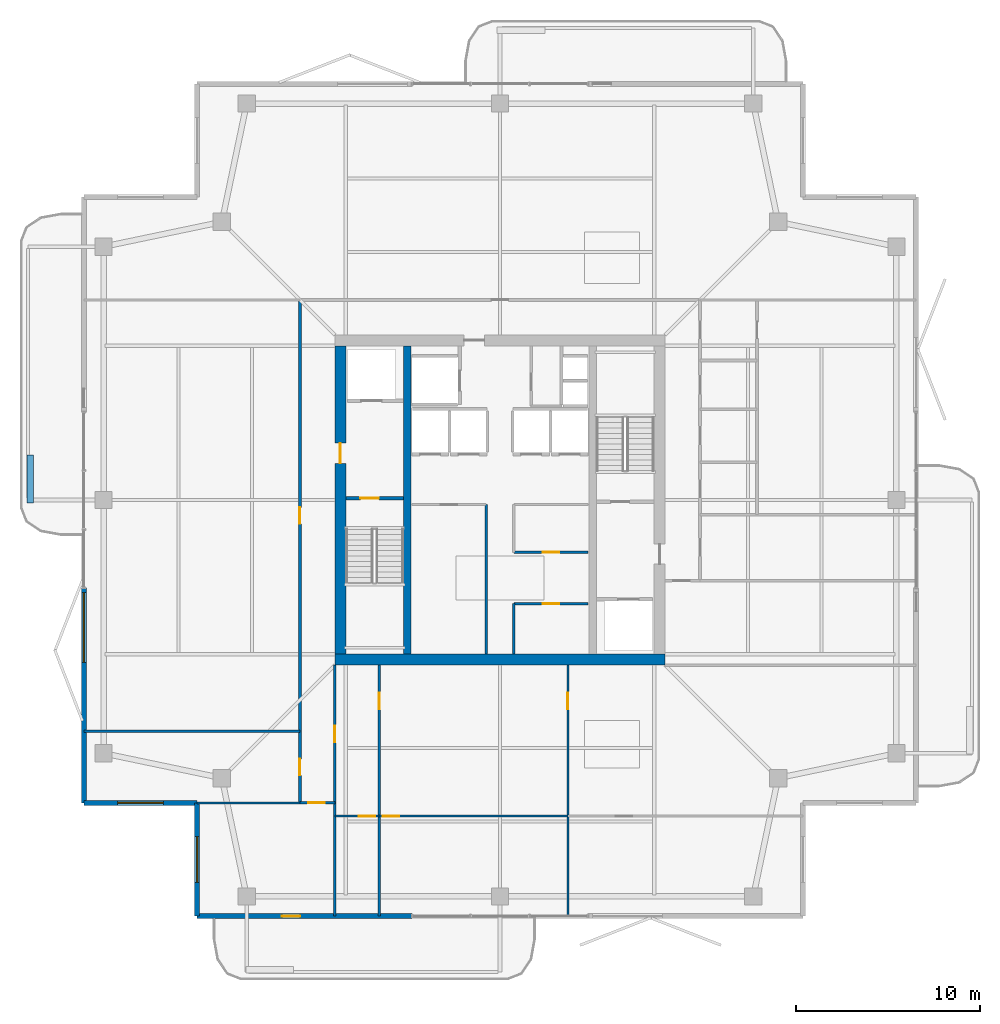
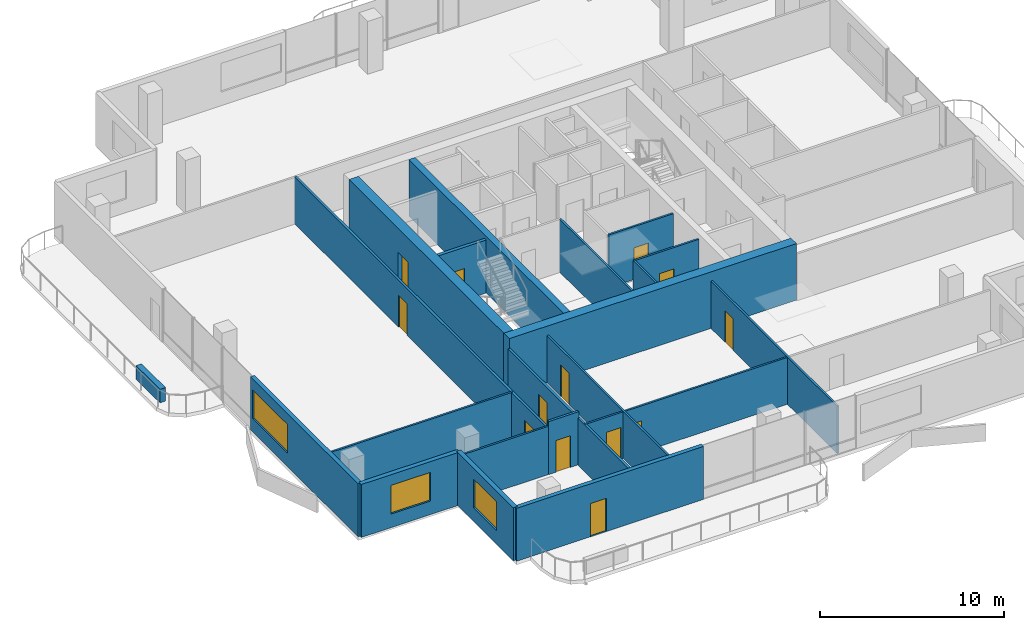
# One storey, part 12 of 17: 22 walls, 13 doors, 3 windows, 16 openings.
"""IFC4 building model written with IfcOpenShell, lengths in metres."""

from ifc_helpers import new_model, si_unit, direction, frame, frame_2d, origin, place, context, subcontext, project, spatial, rectangle, extrude, material, layer, layer_set, type_object, element, fill, save


model = new_model("IFC4")

# Units and contexts
model_context = context("Model", 3, precision=1e-05, world=origin(), true_north=direction((0.0, 1.0)))
body_context = subcontext(model_context, "Body", "Model", "MODEL_VIEW")
ifc_project = project(units=[si_unit("LENGTHUNIT", "METRE"), si_unit("AREAUNIT", "SQUARE_METRE"), si_unit("VOLUMEUNIT", "CUBIC_METRE"), si_unit("PLANEANGLEUNIT", "RADIAN"), si_unit("MASSUNIT", "GRAM", prefix="KILO")], contexts=[model_context])

# Site, building, storey
site_placement = place(None, origin())
site = spatial("IfcSite", under=ifc_project, at=site_placement, CompositionType="ELEMENT")
building_placement = place(site_placement, origin())
building = spatial("IfcBuilding", under=site, at=building_placement, Name="Belovzor Exchange Tower", CompositionType="ELEMENT")
storey_placement = place(building_placement, frame((0.0, 0.0, 325.5)))
storey = spatial("IfcBuildingStorey", under=building, at=storey_placement, Name="L81", CompositionType="ELEMENT", Elevation=325.5)

# Walls
ifc_material_1 = material(Name="Acoustic Plasterboard on Galvanised Studs", Category="gypsum")
ifc_layer_1 = layer(ifc_material_1, 0.1201171875)
ifc_layer_set_1 = layer_set([ifc_layer_1], Name="Acoustic Plasterboard on Galvanised Studs")
wall_type_1 = type_object("IfcWallType", Name="Acoustic Double-Stud Partition Wall 120", PredefinedType="PARTITIONING", material=ifc_layer_set_1)
wall_1_placement = place(storey_placement, frame((6.1298828125, 16.196044921875, 0.0), z_axis=(0.0, 0.0, 1.0), x_axis=(1.0, 0.0, 0.0)))
element("IfcWall", 1, at=wall_1_placement, inside=storey, type_object=wall_type_1, Name="W-P120 Partition Wall W-L81-WDIV-1", PredefinedType="PARTITIONING", context=body_context, shape_type="SweptSolid", body=[
    extrude(rectangle(XDim=11.77001953125, YDim=0.1201171875, at=frame_2d((5.885009765625, 0.0))), origin(), (0.0, 0.0, 1.0), 3.094970703125),
])
wall_2_placement = place(storey_placement, frame((12.300048828125, 12.300048828125, 0.0), z_axis=(0.0, 0.0, 1.0), x_axis=(1.0, 0.0, 0.0)))
element("IfcWall", 2, at=wall_2_placement, inside=storey, type_object=wall_type_1, Name="W-P120 Partition Wall W-L81-SWS", PredefinedType="PARTITIONING", context=body_context, shape_type="SweptSolid", body=[
    extrude(rectangle(XDim=5.599853515625, YDim=0.1201171875, at=frame_2d((2.7998046875, 0.0))), origin(), (0.0, 0.0, 1.0), 3.195068359375),
])

# Wall, opening, door
wall_3_placement = place(storey_placement, frame((19.800048828125, 11.5791015625, 0.0), z_axis=(0.0, 0.0, 1.0), x_axis=(1.0, 0.0, 0.0)))
wall_3 = element("IfcWall", 3, at=wall_3_placement, inside=storey, type_object=wall_type_1, Name="W-P120 Partition Wall W-L81-SHDIV-0", PredefinedType="PARTITIONING", context=body_context, shape_type="SweptSolid", body=[
    extrude(rectangle(XDim=2.4169921875, YDim=0.1201171875, at=frame_2d((1.20849609375, 0.0))), origin(), (0.0, 0.0, 1.0), 3.094970703125),
])
opening_1_placement = place(wall_3_placement, frame((1.31689453125, 0.0, 0.0)))
opening_1 = element("IfcOpeningElement", 4, at=opening_1_placement, cuts=wall_3, Name="Opening D-INT-090", PredefinedType="OPENING", context=body_context, shape_type="SweptSolid", body=[
    extrude(rectangle(XDim=0.89990234375, YDim=2.10009765625, at=frame_2d((0.449951171875, 1.050048828125))), frame((0.0, 0.070068359375, 0.0), z_axis=(0.0, -1.0, 0.0), x_axis=(1.0, 0.0, 0.0)), (0.0, 0.0, 1.0), 0.14013671875),
])
ifc_material_2 = material(Name="Veneered Hardwood Acoustic Leaf", Category="wood")
door_type_1 = type_object("IfcDoorType", Name="Trading Suite Acoustic Single Door 900x2100", OperationType="NOTDEFINED", PredefinedType="DOOR", material=ifc_material_2)
door_1_placement = place(opening_1_placement, origin())
door_1 = element("IfcDoor", 5, at=door_1_placement, inside=storey, type_object=door_type_1, Name="D-INT-090 Trading Suite Acoustic Single Door 900x2100", OperationType="SINGLE_SWING_LEFT", OverallHeight=2.10009765625, OverallWidth=0.89990234375, PredefinedType="DOOR", context=body_context, shape_type="SweptSolid", body=[
    extrude(rectangle(XDim=0.89990234375, YDim=2.10009765625, at=frame_2d((0.449951171875, 1.050048828125))), frame((0.0, 0.02490234375, 0.0), z_axis=(0.0, -1.0, 0.0), x_axis=(1.0, 0.0, 0.0)), (0.0, 0.0, 1.0), 0.050048828125),
])
fill(opening_1, door_1)

wall_4_placement = place(storey_placement, frame((22.217041015625, 6.1298828125, 0.0), z_axis=(0.0, 0.0, 1.0), x_axis=(0.0, 1.0, 0.0)))
wall_4 = element("IfcWall", 6, at=wall_4_placement, inside=storey, type_object=wall_type_1, Name="W-P120 Partition Wall W-L81-SDIV-1", PredefinedType="PARTITIONING", context=body_context, shape_type="SweptSolid", body=[
    extrude(rectangle(XDim=13.670166015625, YDim=0.1201171875, at=frame_2d((6.8349609375, 0.0))), origin(), (0.0, 0.0, 1.0), 3.135009765625),
])
opening_2_placement = place(wall_4_placement, frame((11.27001953125, 0.0, 0.0)))
opening_2 = element("IfcOpeningElement", 7, at=opening_2_placement, cuts=wall_4, Name="Opening D-INT-090", PredefinedType="OPENING", context=body_context, shape_type="SweptSolid", body=[
    extrude(rectangle(XDim=0.89990234375, YDim=2.10009765625, at=frame_2d((0.449951171875, 1.050048828125))), frame((0.0, 0.070068359375, 0.0), z_axis=(0.0, -1.0, 0.0), x_axis=(1.0, 0.0, 0.0)), (0.0, 0.0, 1.0), 0.14013671875),
])
door_2_placement = place(opening_2_placement, origin())
door_2 = element("IfcDoor", 8, at=door_2_placement, inside=storey, type_object=door_type_1, Name="D-INT-090 Trading Suite Acoustic Single Door 900x2100", OperationType="SINGLE_SWING_LEFT", OverallHeight=2.10009765625, OverallWidth=0.89990234375, PredefinedType="DOOR", context=body_context, shape_type="SweptSolid", body=[
    extrude(rectangle(XDim=0.89990234375, YDim=2.10009765625, at=frame_2d((0.449951171875, 1.050048828125))), frame((0.0, 0.02490234375, 0.0), z_axis=(0.0, -1.0, 0.0), x_axis=(1.0, 0.0, 0.0)), (0.0, 0.0, 1.0), 0.050048828125),
])
fill(opening_2, door_2)

wall_5_placement = place(storey_placement, frame((22.217041015625, 11.5791015625, 0.0), z_axis=(0.0, 0.0, 1.0), x_axis=(1.0, 0.0, 0.0)))
wall_5 = element("IfcWall", 9, at=wall_5_placement, inside=storey, type_object=wall_type_1, Name="W-P120 Partition Wall W-L81-SHDIV-1", PredefinedType="PARTITIONING", context=body_context, shape_type="SweptSolid", body=[
    extrude(rectangle(XDim=10.281005859375, YDim=0.1201171875, at=frame_2d((5.140625, 0.0))), origin(), (0.0, 0.0, 1.0), 3.094970703125),
])
opening_3_placement = place(wall_5_placement, frame((0.199951171875, 0.0, 0.0)))
opening_3 = element("IfcOpeningElement", 10, at=opening_3_placement, cuts=wall_5, Name="Opening D-INT-090", PredefinedType="OPENING", context=body_context, shape_type="SweptSolid", body=[
    extrude(rectangle(XDim=0.89990234375, YDim=2.10009765625, at=frame_2d((0.449951171875, 1.050048828125))), frame((0.0, 0.070068359375, 0.0), z_axis=(0.0, -1.0, 0.0), x_axis=(1.0, 0.0, 0.0)), (0.0, 0.0, 1.0), 0.14013671875),
])
door_3_placement = place(opening_3_placement, origin())
door_3 = element("IfcDoor", 11, at=door_3_placement, inside=storey, type_object=door_type_1, Name="D-INT-090 Trading Suite Acoustic Single Door 900x2100", OperationType="SINGLE_SWING_LEFT", OverallHeight=2.10009765625, OverallWidth=0.89990234375, PredefinedType="DOOR", context=body_context, shape_type="SweptSolid", body=[
    extrude(rectangle(XDim=0.89990234375, YDim=2.10009765625, at=frame_2d((0.449951171875, 1.050048828125))), frame((0.0, 0.02490234375, 0.0), z_axis=(0.0, -1.0, 0.0), x_axis=(1.0, 0.0, 0.0)), (0.0, 0.0, 1.0), 0.050048828125),
])
fill(opening_3, door_3)

wall_6_placement = place(storey_placement, frame((32.498046875, 6.1298828125, 0.0), z_axis=(0.0, 0.0, 1.0), x_axis=(0.0, 1.0, 0.0)))
wall_6 = element("IfcWall", 12, at=wall_6_placement, inside=storey, type_object=wall_type_1, Name="W-P120 Partition Wall W-L81-SDIV-2", PredefinedType="PARTITIONING", context=body_context, shape_type="SweptSolid", body=[
    extrude(rectangle(XDim=13.670166015625, YDim=0.1201171875, at=frame_2d((6.8349609375, 0.0))), origin(), (0.0, 0.0, 1.0), 3.135009765625),
])
opening_4_placement = place(wall_6_placement, frame((11.27001953125, 0.0, 0.0)))
opening_4 = element("IfcOpeningElement", 13, at=opening_4_placement, cuts=wall_6, Name="Opening D-INT-090", PredefinedType="OPENING", context=body_context, shape_type="SweptSolid", body=[
    extrude(rectangle(XDim=0.89990234375, YDim=2.10009765625, at=frame_2d((0.449951171875, 1.050048828125))), frame((0.0, 0.070068359375, 0.0), z_axis=(0.0, -1.0, 0.0), x_axis=(1.0, 0.0, 0.0)), (0.0, 0.0, 1.0), 0.14013671875),
])
door_4_placement = place(opening_4_placement, origin())
door_4 = element("IfcDoor", 14, at=door_4_placement, inside=storey, type_object=door_type_1, Name="D-INT-090 Trading Suite Acoustic Single Door 900x2100", OperationType="SINGLE_SWING_LEFT", OverallHeight=2.10009765625, OverallWidth=0.89990234375, PredefinedType="DOOR", context=body_context, shape_type="SweptSolid", body=[
    extrude(rectangle(XDim=0.89990234375, YDim=2.10009765625, at=frame_2d((0.449951171875, 1.050048828125))), frame((0.0, 0.02490234375, 0.0), z_axis=(0.0, -1.0, 0.0), x_axis=(1.0, 0.0, 0.0)), (0.0, 0.0, 1.0), 0.050048828125),
])
fill(opening_4, door_4)

# Wall
ifc_material_3 = material(Name="Fire-Rated Plasterboard on Galvanised Studs", Category="gypsum")
ifc_layer_2 = layer(ifc_material_3, 0.1201171875)
ifc_layer_set_2 = layer_set([ifc_layer_2], Name="Fire-Rated Plasterboard on Galvanised Studs")
wall_type_2 = type_object("IfcWallType", Name="Fire-Rated Double-Stud Partition Wall 120", PredefinedType="PARTITIONING", material=ifc_layer_set_2)
wall_7_placement = place(storey_placement, frame((28.050048828125, 20.39990234375, 0.0), z_axis=(0.0, 0.0, 1.0), x_axis=(0.0, 1.0, 0.0)))
element("IfcWall", 15, at=wall_7_placement, inside=storey, type_object=wall_type_2, Name="W-P120F Partition Wall W-CRWB-L81-E", PredefinedType="PARTITIONING", context=body_context, shape_type="SweptSolid", body=[
    extrude(rectangle(XDim=8.150146484375, YDim=0.1201171875, at=frame_2d((4.0751953125, 0.0))), origin(), (0.0, 0.0, 1.0), 3.510009765625),
])

# Wall, opening, door
wall_8_placement = place(storey_placement, frame((29.550048828125, 23.14990234375, 0.0), z_axis=(0.0, 0.0, 1.0), x_axis=(1.0, 0.0, 0.0)))
wall_8 = element("IfcWall", 16, at=wall_8_placement, inside=storey, type_object=wall_type_2, Name="W-P120F Partition Wall W-CRL-L81-EN", PredefinedType="PARTITIONING", context=body_context, shape_type="SweptSolid", body=[
    extrude(rectangle(XDim=4.050048828125, YDim=0.1201171875, at=frame_2d((2.02490234375, 0.0))), origin(), (0.0, 0.0, 1.0), 3.510009765625),
])
opening_5_placement = place(wall_8_placement, frame((1.574951171875, 0.0, 0.0)))
opening_5 = element("IfcOpeningElement", 17, at=opening_5_placement, cuts=wall_8, Name="Opening D-FD60-090", PredefinedType="OPENING", context=body_context, shape_type="SweptSolid", body=[
    extrude(rectangle(XDim=0.89990234375, YDim=2.10009765625, at=frame_2d((0.449951171875, 1.050048828125))), frame((0.0, 0.070068359375, 0.0), z_axis=(0.0, -1.0, 0.0), x_axis=(1.0, 0.0, 0.0)), (0.0, 0.0, 1.0), 0.14013671875),
])
ifc_material_4 = material(Name="Acoustic Timber Fire Leaf", Category="wood")
door_type_2 = type_object("IfcDoorType", Name="Core Service & Restroom Fire Door 900x2100", OperationType="NOTDEFINED", PredefinedType="DOOR", material=ifc_material_4)
door_5_placement = place(opening_5_placement, origin())
door_5 = element("IfcDoor", 18, at=door_5_placement, inside=storey, type_object=door_type_2, Name="D-FD60-090 Core Service & Restroom Fire Door 900x2100", OperationType="SINGLE_SWING_RIGHT", OverallHeight=2.10009765625, OverallWidth=0.89990234375, PredefinedType="DOOR", context=body_context, shape_type="SweptSolid", body=[
    extrude(rectangle(XDim=0.89990234375, YDim=2.10009765625, at=frame_2d((0.449951171875, 1.050048828125))), frame((0.0, 0.02490234375, 0.0), z_axis=(0.0, -1.0, 0.0), x_axis=(1.0, 0.0, 0.0)), (0.0, 0.0, 1.0), 0.050048828125),
])
fill(opening_5, door_5)

# Wall
wall_9_placement = place(storey_placement, frame((29.550048828125, 20.39990234375, 0.0), z_axis=(0.0, 0.0, 1.0), x_axis=(0.0, 1.0, 0.0)))
element("IfcWall", 19, at=wall_9_placement, inside=storey, type_object=wall_type_2, Name="W-P120F Partition Wall W-CRL-L81-EW", PredefinedType="PARTITIONING", context=body_context, shape_type="SweptSolid", body=[
    extrude(rectangle(XDim=2.75, YDim=0.1201171875, at=frame_2d((1.375, 0.0))), origin(), (0.0, 0.0, 1.0), 3.510009765625),
])

# Wall, opening, door
wall_10_placement = place(storey_placement, frame((29.550048828125, 25.949951171875, 0.0), z_axis=(0.0, 0.0, 1.0), x_axis=(1.0, 0.0, 0.0)))
wall_10 = element("IfcWall", 20, at=wall_10_placement, inside=storey, type_object=wall_type_2, Name="W-P120F Partition Wall W-CRM-L81-ES", PredefinedType="PARTITIONING", context=body_context, shape_type="SweptSolid", body=[
    extrude(rectangle(XDim=4.050048828125, YDim=0.1201171875, at=frame_2d((2.02490234375, 0.0))), origin(), (0.0, 0.0, 1.0), 3.510009765625),
])
opening_6_placement = place(wall_10_placement, frame((1.574951171875, 0.0, 0.0)))
opening_6 = element("IfcOpeningElement", 21, at=opening_6_placement, cuts=wall_10, Name="Opening D-FD60-090", PredefinedType="OPENING", context=body_context, shape_type="SweptSolid", body=[
    extrude(rectangle(XDim=0.89990234375, YDim=2.10009765625, at=frame_2d((0.449951171875, 1.050048828125))), frame((0.0, 0.070068359375, 0.0), z_axis=(0.0, -1.0, 0.0), x_axis=(1.0, 0.0, 0.0)), (0.0, 0.0, 1.0), 0.14013671875),
])
door_6_placement = place(opening_6_placement, origin())
door_6 = element("IfcDoor", 22, at=door_6_placement, inside=storey, type_object=door_type_2, Name="D-FD60-090 Core Service & Restroom Fire Door 900x2100", OperationType="SINGLE_SWING_RIGHT", OverallHeight=2.10009765625, OverallWidth=0.89990234375, PredefinedType="DOOR", context=body_context, shape_type="SweptSolid", body=[
    extrude(rectangle(XDim=0.89990234375, YDim=2.10009765625, at=frame_2d((0.449951171875, 1.050048828125))), frame((0.0, 0.02490234375, 0.0), z_axis=(0.0, -1.0, 0.0), x_axis=(1.0, 0.0, 0.0)), (0.0, 0.0, 1.0), 0.050048828125),
])
fill(opening_6, door_6)

ifc_material_5 = material(Name="Fire-Rated Gypsum Block and Mineral Wool", Category="gypsum")
ifc_layer_3 = layer(ifc_material_5, 0.14990234375)
ifc_layer_set_3 = layer_set([ifc_layer_3], Name="Fire-Rated Gypsum Block and Mineral Wool")
wall_type_3 = type_object("IfcWallType", Name="Fire-Rated Gypsum Block Corridor Wall 150", PredefinedType="PARTITIONING", material=ifc_layer_set_3)
wall_11_placement = place(storey_placement, frame((17.89990234375, 12.300048828125, 0.0), z_axis=(0.0, 0.0, 1.0), x_axis=(1.0, 0.0, 0.0)))
wall_11 = element("IfcWall", 23, at=wall_11_placement, inside=storey, type_object=wall_type_3, Name="W-P150 Partition Wall W-L81-CW-END", PredefinedType="PARTITIONING", context=body_context, shape_type="SweptSolid", body=[
    extrude(rectangle(XDim=1.900146484375, YDim=0.14990234375, at=frame_2d((0.9501953125, 0.0))), origin(), (0.0, 0.0, 1.0), 3.510009765625),
])
opening_7_placement = place(wall_11_placement, frame((0.449951171875, 0.0, 0.0)))
opening_7 = element("IfcOpeningElement", 24, at=opening_7_placement, cuts=wall_11, Name="Opening D-FD60-090", PredefinedType="OPENING", context=body_context, shape_type="SweptSolid", body=[
    extrude(rectangle(XDim=0.89990234375, YDim=2.10009765625, at=frame_2d((0.449951171875, 1.050048828125))), frame((0.0, 0.0849609375, 0.0), z_axis=(0.0, -1.0, 0.0), x_axis=(1.0, 0.0, 0.0)), (0.0, 0.0, 1.0), 0.169921875),
])
door_7_placement = place(opening_7_placement, origin())
door_7 = element("IfcDoor", 25, at=door_7_placement, inside=storey, type_object=door_type_2, Name="D-FD60-090 Core Service & Restroom Fire Door 900x2100", OperationType="SINGLE_SWING_LEFT", OverallHeight=2.10009765625, OverallWidth=0.89990234375, PredefinedType="DOOR", context=body_context, shape_type="SweptSolid", body=[
    extrude(rectangle(XDim=0.89990234375, YDim=2.10009765625, at=frame_2d((0.449951171875, 1.050048828125))), frame((0.0, 0.02490234375, 0.0), z_axis=(0.0, -1.0, 0.0), x_axis=(1.0, 0.0, 0.0)), (0.0, 0.0, 1.0), 0.050048828125),
])
fill(opening_7, door_7)

wall_12_placement = place(storey_placement, frame((19.800048828125, 6.1298828125, 0.0), z_axis=(0.0, 0.0, 1.0), x_axis=(0.0, 1.0, 0.0)))
wall_12 = element("IfcWall", 26, at=wall_12_placement, inside=storey, type_object=wall_type_3, Name="W-P150 Partition Wall W-L81-CW-E", PredefinedType="PARTITIONING", context=body_context, shape_type="SweptSolid", body=[
    extrude(rectangle(XDim=13.670166015625, YDim=0.14990234375, at=frame_2d((6.8349609375, 0.0))), origin(), (0.0, 0.0, 1.0), 3.094970703125),
])
opening_8_placement = place(wall_12_placement, frame((9.469970703125, 0.0, 0.0)))
opening_8 = element("IfcOpeningElement", 27, at=opening_8_placement, cuts=wall_12, Name="Opening D-FD60-090", PredefinedType="OPENING", context=body_context, shape_type="SweptSolid", body=[
    extrude(rectangle(XDim=0.89990234375, YDim=2.10009765625, at=frame_2d((0.449951171875, 1.050048828125))), frame((0.0, 0.0849609375, 0.0), z_axis=(0.0, -1.0, 0.0), x_axis=(1.0, 0.0, 0.0)), (0.0, 0.0, 1.0), 0.169921875),
])
door_8_placement = place(opening_8_placement, origin())
door_8 = element("IfcDoor", 28, at=door_8_placement, inside=storey, type_object=door_type_2, Name="D-FD60-090 Core Service & Restroom Fire Door 900x2100", OperationType="SINGLE_SWING_RIGHT", OverallHeight=2.10009765625, OverallWidth=0.89990234375, PredefinedType="DOOR", context=body_context, shape_type="SweptSolid", body=[
    extrude(rectangle(XDim=0.89990234375, YDim=2.10009765625, at=frame_2d((0.449951171875, 1.050048828125))), frame((0.0, 0.02490234375, 0.0), z_axis=(0.0, -1.0, 0.0), x_axis=(1.0, 0.0, 0.0)), (0.0, 0.0, 1.0), 0.050048828125),
])
fill(opening_8, door_8)

# Wall, openings, doors
wall_13_placement = place(storey_placement, frame((17.89990234375, 12.300048828125, 0.0), z_axis=(0.0, 0.0, 1.0), x_axis=(0.0, 1.0, 0.0)))
wall_13 = element("IfcWall", 29, at=wall_13_placement, inside=storey, type_object=wall_type_3, Name="W-P150 Partition Wall W-L81-CW", PredefinedType="PARTITIONING", context=body_context, shape_type="SweptSolid", body=[
    extrude(rectangle(XDim=27.39990234375, YDim=0.14990234375, at=frame_2d((13.699951171875, 0.0))), origin(), (0.0, 0.0, 1.0), 3.094970703125),
])
opening_9_placement = place(wall_13_placement, frame((1.498046875, 0.0, 0.0)))
opening_9 = element("IfcOpeningElement", 30, at=opening_9_placement, cuts=wall_13, Name="Opening D-INT-090", PredefinedType="OPENING", context=body_context, shape_type="SweptSolid", body=[
    extrude(rectangle(XDim=0.89990234375, YDim=2.10009765625, at=frame_2d((0.449951171875, 1.050048828125))), frame((0.0, 0.0849609375, 0.0), z_axis=(0.0, -1.0, 0.0), x_axis=(1.0, 0.0, 0.0)), (0.0, 0.0, 1.0), 0.169921875),
])
opening_10_placement = place(wall_13_placement, frame((15.197998046875, 0.0, 0.0)))
opening_10 = element("IfcOpeningElement", 31, at=opening_10_placement, cuts=wall_13, Name="Opening D-INT-090", PredefinedType="OPENING", context=body_context, shape_type="SweptSolid", body=[
    extrude(rectangle(XDim=0.89990234375, YDim=2.10009765625, at=frame_2d((0.449951171875, 1.050048828125))), frame((0.0, 0.0849609375, 0.0), z_axis=(0.0, -1.0, 0.0), x_axis=(1.0, 0.0, 0.0)), (0.0, 0.0, 1.0), 0.169921875),
])
door_9_placement = place(opening_9_placement, origin())
door_9 = element("IfcDoor", 32, at=door_9_placement, inside=storey, type_object=door_type_1, Name="D-INT-090 Trading Suite Acoustic Single Door 900x2100", OperationType="SINGLE_SWING_RIGHT", OverallHeight=2.10009765625, OverallWidth=0.89990234375, PredefinedType="DOOR", context=body_context, shape_type="SweptSolid", body=[
    extrude(rectangle(XDim=0.89990234375, YDim=2.10009765625, at=frame_2d((0.449951171875, 1.050048828125))), frame((0.0, 0.02490234375, 0.0), z_axis=(0.0, -1.0, 0.0), x_axis=(1.0, 0.0, 0.0)), (0.0, 0.0, 1.0), 0.050048828125),
])
fill(opening_9, door_9)
door_10_placement = place(opening_10_placement, origin())
door_10 = element("IfcDoor", 33, at=door_10_placement, inside=storey, type_object=door_type_1, Name="D-INT-090 Trading Suite Acoustic Single Door 900x2100", OperationType="SINGLE_SWING_LEFT", OverallHeight=2.10009765625, OverallWidth=0.89990234375, PredefinedType="DOOR", context=body_context, shape_type="SweptSolid", body=[
    extrude(rectangle(XDim=0.89990234375, YDim=2.10009765625, at=frame_2d((0.449951171875, 1.050048828125))), frame((0.0, 0.02490234375, 0.0), z_axis=(0.0, -1.0, 0.0), x_axis=(1.0, 0.0, 0.0)), (0.0, 0.0, 1.0), 0.050048828125),
])
fill(opening_10, door_10)

# Wall, opening, window
ifc_material_6 = material(Name="Precast concrete C40/50", Category="concrete")
ifc_layer_4 = layer(ifc_material_6, 0.280029296875)
ifc_layer_set_4 = layer_set([ifc_layer_4], Name="Precast concrete C40/50")
wall_type_4 = type_object("IfcWallType", Name="Precast Concrete Notched Corner Frame Wall 280", PredefinedType="SOLIDWALL", material=ifc_layer_set_4)
wall_14_placement = place(storey_placement, frame((12.300048828125, 6.1298828125, 0.0), z_axis=(0.0, 0.0, 1.0), x_axis=(0.0, 1.0, 0.0)))
wall_14 = element("IfcWall", 34, at=wall_14_placement, inside=storey, type_object=wall_type_4, Name="W-CRN280 Precast Concrete Notched Corner Frame Wall 280 L81", PredefinedType="SOLIDWALL", context=body_context, shape_type="SweptSolid", body=[
    extrude(rectangle(XDim=6.170166015625, YDim=0.280029296875, at=frame_2d((3.0849609375, 0.0))), origin(), (0.0, 0.0, 1.0), 3.510009765625),
])
opening_11_placement = place(wall_14_placement, frame((1.8349609375, 0.0, 0.89990234375)))
opening_11 = element("IfcOpeningElement", 35, at=opening_11_placement, cuts=wall_14, Name="Opening WN-CRN250", PredefinedType="OPENING", context=body_context, shape_type="SweptSolid", body=[
    extrude(rectangle(XDim=2.5, YDim=1.89990234375, at=frame_2d((1.25, 0.949951171875))), frame((0.0, 0.14990234375, 0.0), z_axis=(0.0, -1.0, 0.0), x_axis=(1.0, 0.0, 0.0)), (0.0, 0.0, 1.0), 0.300048828125),
])
ifc_material_7 = material(Name="Thermally Broken Aluminium and Triple Glazing", Category="aluminium")
window_type_1 = type_object("IfcWindowType", Name="Streamline Moderne Corner Wrap Ribbon Window 2500x1900", PartitioningType="SINGLE_PANEL", PredefinedType="WINDOW", material=ifc_material_7)
window_1_placement = place(opening_11_placement, origin())
window_1 = element("IfcWindow", 36, at=window_1_placement, inside=storey, type_object=window_type_1, Name="WN-CRN250 Streamline Moderne Corner Wrap Ribbon Window 2500x1900", OverallHeight=1.89990234375, OverallWidth=2.5, PartitioningType="SINGLE_PANEL", PredefinedType="WINDOW", context=body_context, shape_type="SweptSolid", body=[
    extrude(rectangle(XDim=2.5, YDim=1.89990234375, at=frame_2d((1.25, 0.949951171875))), frame((0.0, 0.030029296875, 0.0), z_axis=(0.0, -1.0, 0.0), x_axis=(1.0, 0.0, 0.0)), (0.0, 0.0, 1.0), 0.06005859375),
])
fill(opening_11, window_1)

wall_15_placement = place(storey_placement, frame((12.300048828125, 12.300048828125, 0.0), z_axis=(0.0, 0.0, 1.0), x_axis=(-1.0, 0.0, 0.0)))
wall_15 = element("IfcWall", 37, at=wall_15_placement, inside=storey, type_object=wall_type_4, Name="W-CRN280 Precast Concrete Notched Corner Frame Wall 280 L81", PredefinedType="SOLIDWALL", context=body_context, shape_type="SweptSolid", body=[
    extrude(rectangle(XDim=6.170166015625, YDim=0.280029296875, at=frame_2d((3.0849609375, 0.0))), origin(), (0.0, 0.0, 1.0), 3.510009765625),
])
opening_12_placement = place(wall_15_placement, frame((1.8349609375, 0.0, 0.89990234375)))
opening_12 = element("IfcOpeningElement", 38, at=opening_12_placement, cuts=wall_15, Name="Opening WN-CRN250", PredefinedType="OPENING", context=body_context, shape_type="SweptSolid", body=[
    extrude(rectangle(XDim=2.5, YDim=1.89990234375, at=frame_2d((1.25, 0.949951171875))), frame((0.0, 0.14990234375, 0.0), z_axis=(0.0, -1.0, 0.0), x_axis=(1.0, 0.0, 0.0)), (0.0, 0.0, 1.0), 0.300048828125),
])
window_2_placement = place(opening_12_placement, origin())
window_2 = element("IfcWindow", 39, at=window_2_placement, inside=storey, type_object=window_type_1, Name="WN-CRN250 Streamline Moderne Corner Wrap Ribbon Window 2500x1900", OverallHeight=1.89990234375, OverallWidth=2.5, PartitioningType="SINGLE_PANEL", PredefinedType="WINDOW", context=body_context, shape_type="SweptSolid", body=[
    extrude(rectangle(XDim=2.5, YDim=1.89990234375, at=frame_2d((1.25, 0.949951171875))), frame((0.0, 0.030029296875, 0.0), z_axis=(0.0, -1.0, 0.0), x_axis=(1.0, 0.0, 0.0)), (0.0, 0.0, 1.0), 0.06005859375),
])
fill(opening_12, window_2)

# Wall, opening, door
ifc_material_8 = material(Name="Precast concrete C40/50", Category="concrete")
ifc_layer_5 = layer(ifc_material_8, 0.260009765625)
ifc_layer_set_5 = layer_set([ifc_layer_5], Name="Precast concrete C40/50")
wall_type_5 = type_object("IfcWallType", Name="Precast Concrete Perimeter Loggia Frame Wall 260", PredefinedType="SOLIDWALL", material=ifc_layer_set_5)
wall_16_placement = place(storey_placement, frame((24.0, 6.1298828125, 0.0), z_axis=(0.0, 0.0, 1.0), x_axis=(-1.0, 0.0, 0.0)))
wall_16 = element("IfcWall", 40, at=wall_16_placement, inside=storey, type_object=wall_type_5, Name="W-EXT260 Precast Concrete Perimeter Loggia Frame Wall 260 L81", PredefinedType="SOLIDWALL", context=body_context, shape_type="SweptSolid", body=[
    extrude(rectangle(XDim=11.699951171875, YDim=0.260009765625, at=frame_2d((5.85009765625, 0.0))), origin(), (0.0, 0.0, 1.0), 3.510009765625),
])
opening_13_placement = place(wall_16_placement, frame((6.0830078125, 0.0, 0.0)))
opening_13 = element("IfcOpeningElement", 41, at=opening_13_placement, cuts=wall_16, Name="Opening D-BAL100", PredefinedType="OPENING", context=body_context, shape_type="SweptSolid", body=[
    extrude(rectangle(XDim=1.0, YDim=2.199951171875, at=frame_2d((0.5, 1.10009765625))), frame((0.0, 0.139892578125, 0.0), z_axis=(0.0, -1.0, 0.0), x_axis=(1.0, 0.0, 0.0)), (0.0, 0.0, 1.0), 0.280029296875),
])
ifc_material_9 = material(Name="Thermally Broken Anodised Aluminium and Laminated Glass", Category="aluminium")
door_type_3 = type_object("IfcDoorType", Name="Planted Loggia Terrace Glazed Door 1000x2200", OperationType="SINGLE_SWING_LEFT", PredefinedType="DOOR", material=ifc_material_9)
door_11_placement = place(opening_13_placement, origin())
door_11 = element("IfcDoor", 42, at=door_11_placement, inside=storey, type_object=door_type_3, Name="D-BAL100 Balcony Terrace Door L81 S", OperationType="SINGLE_SWING_LEFT", OverallHeight=2.199951171875, OverallWidth=1.0, PredefinedType="DOOR", context=body_context, shape_type="SweptSolid", body=[
    extrude(rectangle(XDim=1.0, YDim=2.199951171875, at=frame_2d((0.5, 1.10009765625))), frame((0.0, 0.02490234375, 0.0), z_axis=(0.0, -1.0, 0.0), x_axis=(1.0, 0.0, 0.0)), (0.0, 0.0, 1.0), 0.050048828125),
])
fill(opening_13, door_11)

# Wall, opening, window
wall_17_placement = place(storey_placement, frame((6.1298828125, 12.300048828125, 0.0), z_axis=(0.0, 0.0, 1.0), x_axis=(0.0, 1.0, 0.0)))
wall_17 = element("IfcWall", 43, at=wall_17_placement, inside=storey, type_object=wall_type_5, Name="W-EXT260 Precast Concrete Perimeter Loggia Frame Wall 260 L81", PredefinedType="SOLIDWALL", context=body_context, shape_type="SweptSolid", body=[
    extrude(rectangle(XDim=11.699951171875, YDim=0.260009765625, at=frame_2d((5.85009765625, 0.0))), origin(), (0.0, 0.0, 1.0), 3.510009765625),
])
opening_14_placement = place(wall_17_placement, frame((7.64990234375, 0.0, 0.89990234375)))
opening_14 = element("IfcOpeningElement", 44, at=opening_14_placement, cuts=wall_17, Name="Opening WN-RIB380", PredefinedType="OPENING", context=body_context, shape_type="SweptSolid", body=[
    extrude(rectangle(XDim=3.800048828125, YDim=1.89990234375, at=frame_2d((1.89990234375, 0.949951171875))), frame((0.0, 0.139892578125, 0.0), z_axis=(0.0, -1.0, 0.0), x_axis=(1.0, 0.0, 0.0)), (0.0, 0.0, 1.0), 0.280029296875),
])
ifc_material_10 = material(Name="Thermally Broken Aluminium and Triple Glazing", Category="aluminium")
window_type_2 = type_object("IfcWindowType", Name="Streamline Moderne Horizontal Ribbon Window 3800x1900", PartitioningType="SINGLE_PANEL", PredefinedType="WINDOW", material=ifc_material_10)
window_3_placement = place(opening_14_placement, origin())
window_3 = element("IfcWindow", 45, at=window_3_placement, inside=storey, type_object=window_type_2, Name="WN-RIB380 Streamline Moderne Horizontal Ribbon Window 3800x1900", OverallHeight=1.89990234375, OverallWidth=3.800048828125, PartitioningType="SINGLE_PANEL", PredefinedType="WINDOW", context=body_context, shape_type="SweptSolid", body=[
    extrude(rectangle(XDim=3.800048828125, YDim=1.89990234375, at=frame_2d((1.89990234375, 0.949951171875))), frame((0.0, 0.030029296875, 0.0), z_axis=(0.0, -1.0, 0.0), x_axis=(1.0, 0.0, 0.0)), (0.0, 0.0, 1.0), 0.06005859375),
])
fill(opening_14, window_3)

# Walls
ifc_material_11 = material(Name="Precast concrete C40/50", Category="concrete")
ifc_layer_6 = layer(ifc_material_11, 0.35009765625)
ifc_layer_set_6 = layer_set([ifc_layer_6], Name="Precast concrete C40/50")
wall_type_6 = type_object("IfcWallType", Name="Precast Concrete Structural Tree Planter Trough 350", PredefinedType="PARAPET", material=ifc_layer_set_6)
wall_18_placement = place(storey_placement, frame((3.199951171875, 28.64990234375, 0.0), z_axis=(0.0, 0.0, 1.0), x_axis=(0.0, 1.0, 0.0)))
element("IfcWall", 46, at=wall_18_placement, inside=storey, type_object=wall_type_6, Name="PT-350 Precast Concrete Structural Tree Planter Trough 350 L81", PredefinedType="PARAPET", context=body_context, shape_type="SweptSolid", body=[
    extrude(rectangle(XDim=2.60009765625, YDim=0.35009765625, at=frame_2d((1.300048828125, 0.0))), origin(), (0.0, 0.0, 1.0), 0.89990234375),
])
ifc_material_12 = material(Name="Concrete C50/60", Category="concrete")
ifc_layer_7 = layer(ifc_material_12, 0.39990234375)
ifc_layer_set_7 = layer_set([ifc_layer_7], Name="Concrete C50/60")
wall_type_7 = type_object("IfcWallType", Name="Reinforced Concrete Core Internal Web Wall 400", PredefinedType="SHEAR", material=ifc_layer_set_7)
wall_19_placement = place(storey_placement, frame((23.75, 20.39990234375, 0.0), z_axis=(0.0, 0.0, 1.0), x_axis=(0.0, 1.0, 0.0)))
element("IfcWall", 47, at=wall_19_placement, inside=storey, type_object=wall_type_7, Name="CW-W040 Core Internal Web Wall L81 WL", PredefinedType="SHEAR", context=body_context, shape_type="SweptSolid", body=[
    extrude(rectangle(XDim=16.800048828125, YDim=0.39990234375, at=frame_2d((8.39990234375, 0.0))), origin(), (0.0, 0.0, 1.0), 3.75),
])

# Wall, opening, door
ifc_material_13 = material(Name="Concrete C50/60", Category="concrete")
ifc_layer_8 = layer(ifc_material_13, 0.199951171875)
ifc_layer_set_8 = layer_set([ifc_layer_8], Name="Concrete C50/60")
wall_type_8 = type_object("IfcWallType", Name="Reinforced Concrete Core Shaft Shear Wall 200", PredefinedType="SHEAR", material=ifc_layer_set_8)
wall_20_placement = place(storey_placement, frame((20.39990234375, 28.89990234375, 0.0), z_axis=(0.0, 0.0, 1.0), x_axis=(1.0, 0.0, 0.0)))
wall_20 = element("IfcWall", 48, at=wall_20_placement, inside=storey, type_object=wall_type_8, Name="W-C200S Core Shaft Wall W-CORE-L81-FFLW1", PredefinedType="SHEAR", context=body_context, shape_type="SweptSolid", body=[
    extrude(rectangle(XDim=3.150146484375, YDim=0.199951171875, at=frame_2d((1.5751953125, 0.0))), origin(), (0.0, 0.0, 1.0), 3.510009765625),
])
opening_15_placement = place(wall_20_placement, frame((0.800048828125, 0.0, 0.0)))
opening_15 = element("IfcOpeningElement", 49, at=opening_15_placement, cuts=wall_20, Name="Opening D-FD90-100", PredefinedType="OPENING", context=body_context, shape_type="SweptSolid", body=[
    extrude(rectangle(XDim=1.0, YDim=2.10009765625, at=frame_2d((0.5, 1.050048828125))), frame((0.0, 0.10986328125, 0.0), z_axis=(0.0, -1.0, 0.0), x_axis=(1.0, 0.0, 0.0)), (0.0, 0.0, 1.0), 0.219970703125),
])
ifc_material_14 = material(Name="Fire-Rated Galvanised Steel Leaf", Category="steel")
door_type_4 = type_object("IfcDoorType", Name="Protected Stairwell Single Fire Door 1000x2100", OperationType="NOTDEFINED", PredefinedType="DOOR", material=ifc_material_14)
door_12_placement = place(opening_15_placement, origin())
door_12 = element("IfcDoor", 50, at=door_12_placement, inside=storey, type_object=door_type_4, Name="D-FD90-100 Protected Stairwell Single Fire Door 1000x2100", OperationType="SINGLE_SWING_RIGHT", OverallHeight=2.10009765625, OverallWidth=1.0, PredefinedType="DOOR", context=body_context, shape_type="SweptSolid", body=[
    extrude(rectangle(XDim=1.0, YDim=2.10009765625, at=frame_2d((0.5, 1.050048828125))), frame((0.0, 0.02490234375, 0.0), z_axis=(0.0, -1.0, 0.0), x_axis=(1.0, 0.0, 0.0)), (0.0, 0.0, 1.0), 0.050048828125),
])
fill(opening_15, door_12)

# Wall
ifc_material_15 = material(Name="Concrete C50/60", Category="concrete")
ifc_layer_9 = layer(ifc_material_15, 0.60009765625)
ifc_layer_set_9 = layer_set([ifc_layer_9], Name="Concrete C50/60")
wall_type_9 = type_object("IfcWallType", Name="Reinforced Concrete Core Shear Wall 600", PredefinedType="SHEAR", material=ifc_layer_set_9)
wall_21_placement = place(storey_placement, frame((19.800048828125, 20.10009765625, 0.0), z_axis=(0.0, 0.0, 1.0), x_axis=(1.0, 0.0, 0.0)))
element("IfcWall", 51, at=wall_21_placement, inside=storey, type_object=wall_type_9, Name="CW-S060 Core Shear Wall L81 S", PredefinedType="SHEAR", context=body_context, shape_type="SweptSolid", body=[
    extrude(rectangle(XDim=18.0, YDim=0.60009765625, at=frame_2d((9.0, 0.0))), origin(), (0.0, 0.0, 1.0), 3.75),
])

# Wall, opening, door
wall_22_placement = place(storey_placement, frame((20.10009765625, 20.39990234375, 0.0), z_axis=(0.0, 0.0, 1.0), x_axis=(0.0, 1.0, 0.0)))
wall_22 = element("IfcWall", 52, at=wall_22_placement, inside=storey, type_object=wall_type_9, Name="CW-S060 Core Shear Wall L81 W", PredefinedType="SHEAR", context=body_context, shape_type="SweptSolid", body=[
    extrude(rectangle(XDim=16.800048828125, YDim=0.60009765625, at=frame_2d((8.39990234375, 0.0))), origin(), (0.0, 0.0, 1.0), 3.75),
])
opening_16_placement = place(wall_22_placement, frame((10.39990234375, 0.0, 0.0)))
opening_16 = element("IfcOpeningElement", 53, at=opening_16_placement, cuts=wall_22, Name="Opening D-FD90-110", PredefinedType="OPENING", context=body_context, shape_type="SweptSolid", body=[
    extrude(rectangle(XDim=1.10009765625, YDim=2.14990234375, at=frame_2d((0.550048828125, 1.074951171875))), frame((0.0, 0.31005859375, 0.0), z_axis=(0.0, -1.0, 0.0), x_axis=(1.0, 0.0, 0.0)), (0.0, 0.0, 1.0), 0.6201171875),
])
ifc_material_16 = material(Name="Fire-Rated Galvanised Steel Leaf", Category="steel")
door_type_5 = type_object("IfcDoorType", Name="Protected Escape Vestibule Fire Door 1100x2150", OperationType="NOTDEFINED", PredefinedType="DOOR", material=ifc_material_16)
door_13_placement = place(opening_16_placement, origin())
door_13 = element("IfcDoor", 54, at=door_13_placement, inside=storey, type_object=door_type_5, Name="D-FD90-110 Protected Escape Vestibule Fire Door 1100x2150", OperationType="SINGLE_SWING_LEFT", OverallHeight=2.14990234375, OverallWidth=1.10009765625, PredefinedType="DOOR", context=body_context, shape_type="SweptSolid", body=[
    extrude(rectangle(XDim=1.10009765625, YDim=2.14990234375, at=frame_2d((0.550048828125, 1.074951171875))), frame((0.0, 0.02490234375, 0.0), z_axis=(0.0, -1.0, 0.0), x_axis=(1.0, 0.0, 0.0)), (0.0, 0.0, 1.0), 0.050048828125),
])
fill(opening_16, door_13)

save(model, "model.ifc")
